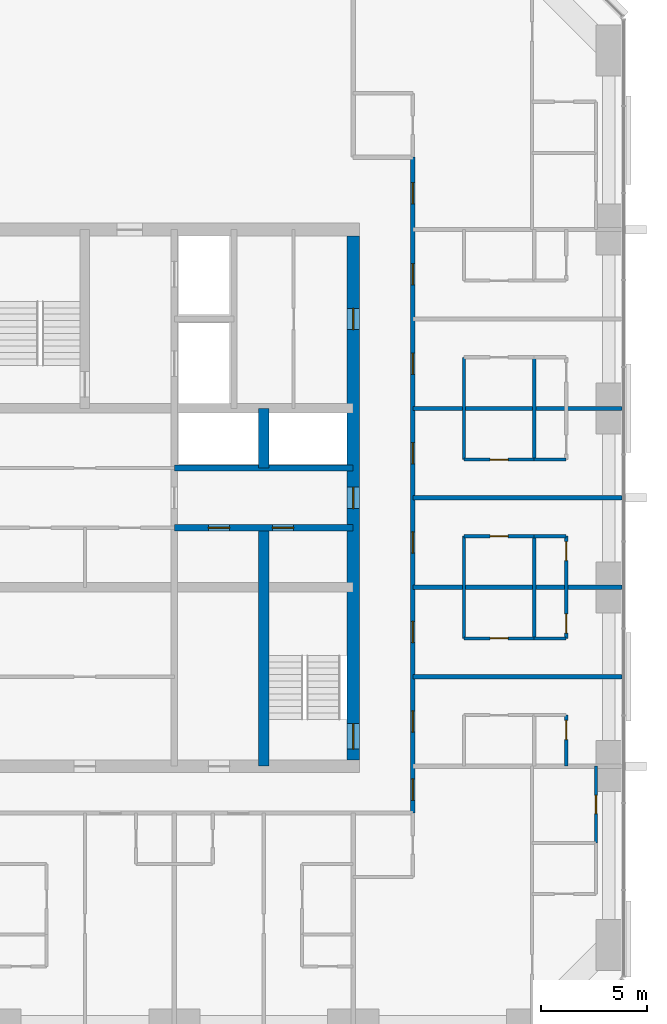
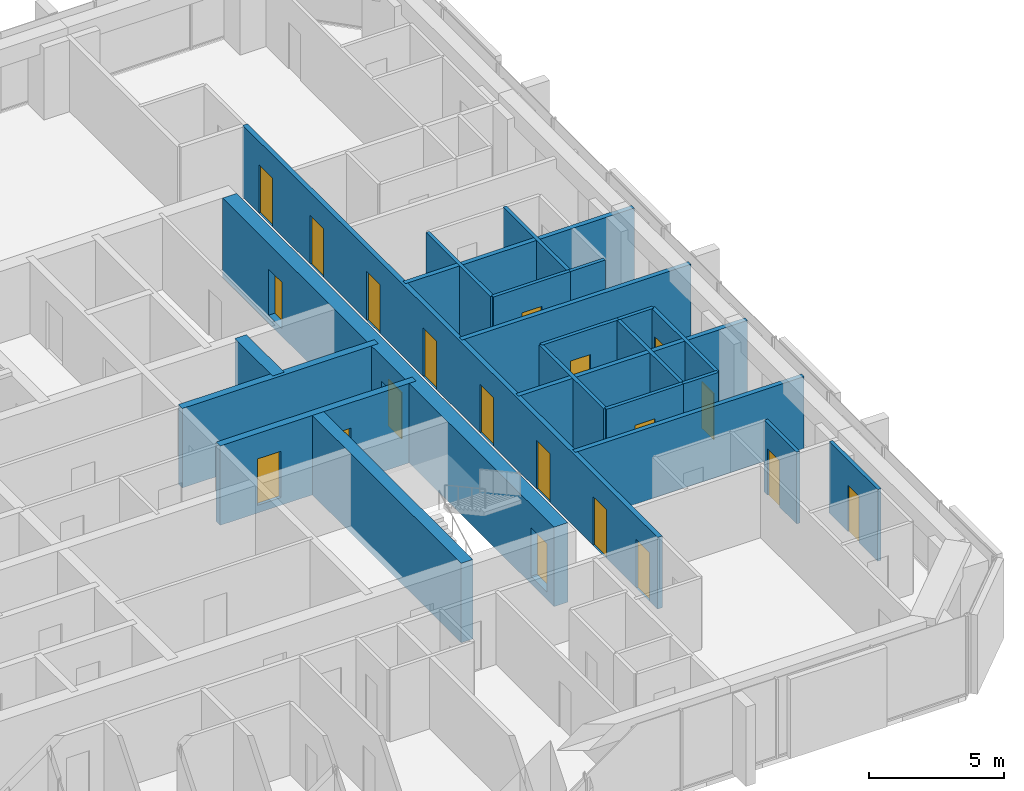
# One storey, part 11 of 14: 23 walls, 20 doors, 20 openings.
"""IFC4 building model written with IfcOpenShell, lengths in metres."""

from ifc_helpers import new_model, si_unit, direction, frame, frame_2d, origin, place, context, subcontext, project, spatial, rectangle, extrude, material, layer, layer_set, type_object, element, fill, save


model = new_model("IFC4")

# Units and contexts
model_context = context("Model", 3, precision=1e-05, world=origin(), true_north=direction((0.0, 1.0)))
body_context = subcontext(model_context, "Body", "Model", "MODEL_VIEW")
ifc_project = project(units=[si_unit("LENGTHUNIT", "METRE"), si_unit("AREAUNIT", "SQUARE_METRE"), si_unit("VOLUMEUNIT", "CUBIC_METRE"), si_unit("PLANEANGLEUNIT", "RADIAN"), si_unit("MASSUNIT", "GRAM", prefix="KILO")], contexts=[model_context])

# Site, building, storey
site_placement = place(None, origin())
site = spatial("IfcSite", under=ifc_project, at=site_placement, CompositionType="ELEMENT")
building_placement = place(site_placement, origin())
building = spatial("IfcBuilding", under=site, at=building_placement, Name="Dunama Terrace Hotel", CompositionType="ELEMENT")
storey_placement = place(building_placement, frame((0.0, 0.0, 184.199951171875)))
storey = spatial("IfcBuildingStorey", under=building, at=storey_placement, Name="L47", CompositionType="ELEMENT", Elevation=184.199951171875)

# Walls
ifc_material_1 = material(Name="Gypsum board partition", Category="masonry")
ifc_layer_1 = layer(ifc_material_1, 0.14990234375)
ifc_layer_set_1 = layer_set([ifc_layer_1], Name="Bathroom partition 150")
wall_type_1 = type_object("IfcWallType", Name="Bathroom partition 150", PredefinedType="PARTITIONING", material=ifc_layer_set_1)
for number, where, z_axis, x_axis, name in (
    (1, (47.199951171875, 22.800048828125, 0.0), (0.0, 0.0, 1.0), (0.0, 1.0, 0.0), "Bathroom partition 150 L47"),
    (2, (47.199951171875, 31.199951171875, 0.0), (0.0, 0.0, 1.0), (0.0, 1.0, 0.0), "Bathroom partition 150 L47"),
):
    element("IfcWall", number, at=place(storey_placement, frame(where, z_axis=z_axis, x_axis=x_axis)), inside=storey, type_object=wall_type_1, Name=name, PredefinedType="PARTITIONING", context=body_context, shape_type="SweptSolid", body=[
        extrude(rectangle(XDim=4.800048828125, YDim=0.14990234375, at=frame_2d((2.39990234375, 0.0))), origin(), (0.0, 0.0, 1.0), 3.25),
    ])

# Wall, opening, door
wall_1_placement = place(storey_placement, frame((53.39990234375, 13.199951171875, 0.0), z_axis=(0.0, 0.0, 1.0), x_axis=(0.0, 1.0, 0.0)))
wall_1 = element("IfcWall", 3, at=wall_1_placement, inside=storey, type_object=wall_type_1, Name="Bathroom partition 150 L47", PredefinedType="PARTITIONING", context=body_context, shape_type="SweptSolid", body=[
    extrude(rectangle(XDim=3.60009765625, YDim=0.14990234375, at=frame_2d((1.800048828125, 0.0))), origin(), (0.0, 0.0, 1.0), 3.25),
])
opening_1_placement = place(wall_1_placement, frame((1.375, 0.0, 0.0)))
opening_1 = element("IfcOpeningElement", 4, at=opening_1_placement, cuts=wall_1, Name="Opening L46-47-060", PredefinedType="OPENING", context=body_context, shape_type="SweptSolid", body=[
    extrude(rectangle(XDim=0.85009765625, YDim=2.10009765625, at=frame_2d((0.425048828125, 1.050048828125))), frame((0.0, 0.0849609375, 0.0), z_axis=(0.0, -1.0, 0.0), x_axis=(1.0, 0.0, 0.0)), (0.0, 0.0, 1.0), 0.169921875),
])
ifc_material_2 = material(Name="Timber door with steel frame", Category="steel")
door_type_1 = type_object("IfcDoorType", Name="Bathroom door 850", OperationType="SINGLE_SWING_LEFT", PredefinedType="DOOR", material=ifc_material_2)
door_1_placement = place(opening_1_placement, origin())
door_1 = element("IfcDoor", 5, at=door_1_placement, inside=storey, type_object=door_type_1, Name="Door to en-suite bathroom L46-47-060, type D2", OperationType="SINGLE_SWING_RIGHT", OverallHeight=2.10009765625, OverallWidth=0.85009765625, PredefinedType="DOOR", context=body_context, shape_type="SweptSolid", body=[
    extrude(rectangle(XDim=0.85009765625, YDim=2.10009765625, at=frame_2d((0.425048828125, 1.050048828125))), frame((0.0, 0.02490234375, 0.0), z_axis=(0.0, -1.0, 0.0), x_axis=(1.0, 0.0, 0.0)), (0.0, 0.0, 1.0), 0.050048828125),
])
fill(opening_1, door_1)

wall_2_placement = place(storey_placement, frame((47.199951171875, 22.800048828125, 0.0), z_axis=(0.0, 0.0, 1.0), x_axis=(1.0, 0.0, 0.0)))
wall_2 = element("IfcWall", 6, at=wall_2_placement, inside=storey, type_object=wall_type_1, Name="Bathroom partition 150 L47", PredefinedType="PARTITIONING", context=body_context, shape_type="SweptSolid", body=[
    extrude(rectangle(XDim=3.300048828125, YDim=0.14990234375, at=frame_2d((1.64990234375, 0.0))), origin(), (0.0, 0.0, 1.0), 3.25),
])
opening_2_placement = place(wall_2_placement, frame((1.22509765625, 0.0, 0.0)))
opening_2 = element("IfcOpeningElement", 7, at=opening_2_placement, cuts=wall_2, Name="Opening L46-47-028", PredefinedType="OPENING", context=body_context, shape_type="SweptSolid", body=[
    extrude(rectangle(XDim=0.85009765625, YDim=2.10009765625, at=frame_2d((0.425048828125, 1.050048828125))), frame((0.0, 0.0849609375, 0.0), z_axis=(0.0, -1.0, 0.0), x_axis=(1.0, 0.0, 0.0)), (0.0, 0.0, 1.0), 0.169921875),
])
door_2_placement = place(opening_2_placement, origin())
door_2 = element("IfcDoor", 8, at=door_2_placement, inside=storey, type_object=door_type_1, Name="Door to en-suite bathroom L46-47-028, type D2", OperationType="SINGLE_SWING_RIGHT", OverallHeight=2.10009765625, OverallWidth=0.85009765625, PredefinedType="DOOR", context=body_context, shape_type="SweptSolid", body=[
    extrude(rectangle(XDim=0.85009765625, YDim=2.10009765625, at=frame_2d((0.425048828125, 1.050048828125))), frame((0.0, 0.02490234375, 0.0), z_axis=(0.0, -1.0, 0.0), x_axis=(1.0, 0.0, 0.0)), (0.0, 0.0, 1.0), 0.050048828125),
])
fill(opening_2, door_2)

wall_3_placement = place(storey_placement, frame((47.199951171875, 27.60009765625, 0.0), z_axis=(0.0, 0.0, 1.0), x_axis=(1.0, 0.0, 0.0)))
wall_3 = element("IfcWall", 9, at=wall_3_placement, inside=storey, type_object=wall_type_1, Name="Bathroom partition 150 L47", PredefinedType="PARTITIONING", context=body_context, shape_type="SweptSolid", body=[
    extrude(rectangle(XDim=3.300048828125, YDim=0.14990234375, at=frame_2d((1.64990234375, 0.0))), origin(), (0.0, 0.0, 1.0), 3.25),
])
opening_3_placement = place(wall_3_placement, frame((1.22509765625, 0.0, 0.0)))
opening_3 = element("IfcOpeningElement", 10, at=opening_3_placement, cuts=wall_3, Name="Opening L46-47-031", PredefinedType="OPENING", context=body_context, shape_type="SweptSolid", body=[
    extrude(rectangle(XDim=0.85009765625, YDim=2.10009765625, at=frame_2d((0.425048828125, 1.050048828125))), frame((0.0, 0.0849609375, 0.0), z_axis=(0.0, -1.0, 0.0), x_axis=(1.0, 0.0, 0.0)), (0.0, 0.0, 1.0), 0.169921875),
])
door_3_placement = place(opening_3_placement, frame((0.85009765625, 0.0, 0.0), z_axis=(0.0, 0.0, 1.0), x_axis=(-1.0, 0.0, 0.0)))
door_3 = element("IfcDoor", 11, at=door_3_placement, inside=storey, type_object=door_type_1, Name="Door to en-suite bathroom L46-47-031, type D2", OperationType="SINGLE_SWING_LEFT", OverallHeight=2.10009765625, OverallWidth=0.85009765625, PredefinedType="DOOR", context=body_context, shape_type="SweptSolid", body=[
    extrude(rectangle(XDim=0.85009765625, YDim=2.10009765625, at=frame_2d((0.425048828125, 1.050048828125))), frame((0.0, 0.025146484375, 0.0), z_axis=(0.0, -1.0, 0.0), x_axis=(1.0, 0.0, 0.0)), (0.0, 0.0, 1.0), 0.050048828125),
])
fill(opening_3, door_3)

wall_4_placement = place(storey_placement, frame((47.199951171875, 31.199951171875, 0.0), z_axis=(0.0, 0.0, 1.0), x_axis=(1.0, 0.0, 0.0)))
wall_4 = element("IfcWall", 12, at=wall_4_placement, inside=storey, type_object=wall_type_1, Name="Bathroom partition 150 L47", PredefinedType="PARTITIONING", context=body_context, shape_type="SweptSolid", body=[
    extrude(rectangle(XDim=3.300048828125, YDim=0.14990234375, at=frame_2d((1.64990234375, 0.0))), origin(), (0.0, 0.0, 1.0), 3.25),
])
opening_4_placement = place(wall_4_placement, frame((1.22509765625, 0.0, 0.0)))
opening_4 = element("IfcOpeningElement", 13, at=opening_4_placement, cuts=wall_4, Name="Opening L46-47-034", PredefinedType="OPENING", context=body_context, shape_type="SweptSolid", body=[
    extrude(rectangle(XDim=0.85009765625, YDim=2.10009765625, at=frame_2d((0.425048828125, 1.050048828125))), frame((0.0, 0.0849609375, 0.0), z_axis=(0.0, -1.0, 0.0), x_axis=(1.0, 0.0, 0.0)), (0.0, 0.0, 1.0), 0.169921875),
])
door_4_placement = place(opening_4_placement, origin())
door_4 = element("IfcDoor", 14, at=door_4_placement, inside=storey, type_object=door_type_1, Name="Door to en-suite bathroom L46-47-034, type D2", OperationType="SINGLE_SWING_RIGHT", OverallHeight=2.10009765625, OverallWidth=0.85009765625, PredefinedType="DOOR", context=body_context, shape_type="SweptSolid", body=[
    extrude(rectangle(XDim=0.85009765625, YDim=2.10009765625, at=frame_2d((0.425048828125, 1.050048828125))), frame((0.0, 0.02490234375, 0.0), z_axis=(0.0, -1.0, 0.0), x_axis=(1.0, 0.0, 0.0)), (0.0, 0.0, 1.0), 0.050048828125),
])
fill(opening_4, door_4)

# Wall, openings, doors
ifc_material_3 = material(Name="Concrete C50/60", Category="concrete")
ifc_layer_2 = layer(ifc_material_3, 0.300048828125)
ifc_layer_set_2 = layer_set([ifc_layer_2], Name="Core inner wall 300")
wall_type_2 = type_object("IfcWallType", Name="Core inner wall 300", PredefinedType="SHEAR", material=ifc_layer_set_2)
wall_5_placement = place(storey_placement, frame((33.60009765625, 28.0, -0.349853515625), z_axis=(0.0, 0.0, 1.0), x_axis=(1.0, 0.0, 0.0)))
wall_5 = element("IfcWall", 15, at=wall_5_placement, inside=storey, type_object=wall_type_2, Name="Core inner wall 300 L47", PredefinedType="SHEAR", context=body_context, shape_type="SweptSolid", body=[
    extrude(rectangle(XDim=8.39990234375, YDim=0.300048828125, at=frame_2d((4.199951171875, 0.0))), origin(), (0.0, 0.0, 1.0), 3.599853515625),
])
opening_5_placement = place(wall_5_placement, frame((1.60009765625, 0.0, 0.35009765625)))
opening_5 = element("IfcOpeningElement", 16, at=opening_5_placement, cuts=wall_5, Name="Opening L46-47-084", PredefinedType="OPENING", context=body_context, shape_type="SweptSolid", body=[
    extrude(rectangle(XDim=1.0, YDim=2.10009765625, at=frame_2d((0.5, 1.050048828125))), frame((0.0, 0.159912109375, 0.0), z_axis=(0.0, -1.0, 0.0), x_axis=(1.0, 0.0, 0.0)), (0.0, 0.0, 1.0), 0.320068359375),
])
opening_6_placement = place(wall_5_placement, frame((4.60009765625, 0.0, 0.35009765625)))
opening_6 = element("IfcOpeningElement", 17, at=opening_6_placement, cuts=wall_5, Name="Opening L46-47-085", PredefinedType="OPENING", context=body_context, shape_type="SweptSolid", body=[
    extrude(rectangle(XDim=1.0, YDim=2.10009765625, at=frame_2d((0.5, 1.050048828125))), frame((0.0, 0.159912109375, 0.0), z_axis=(0.0, -1.0, 0.0), x_axis=(1.0, 0.0, 0.0)), (0.0, 0.0, 1.0), 0.320068359375),
])
ifc_material_4 = material(Name="Timber door with steel frame", Category="steel")
door_type_2 = type_object("IfcDoorType", Name="Service door 1000", OperationType="SINGLE_SWING_LEFT", PredefinedType="DOOR", material=ifc_material_4)
door_5_placement = place(opening_5_placement, frame((1.0, 0.0, 0.0), z_axis=(0.0, 0.0, 1.0), x_axis=(-1.0, 0.0, 0.0)))
door_5 = element("IfcDoor", 18, at=door_5_placement, inside=storey, type_object=door_type_2, Name="Door to service riser L46-47-084, type D7", OperationType="SINGLE_SWING_LEFT", OverallHeight=2.10009765625, OverallWidth=1.0, PredefinedType="DOOR", context=body_context, shape_type="SweptSolid", body=[
    extrude(rectangle(XDim=1.0, YDim=2.10009765625, at=frame_2d((0.5, 1.050048828125))), frame((0.0, 0.025146484375, 0.0), z_axis=(0.0, -1.0, 0.0), x_axis=(1.0, 0.0, 0.0)), (0.0, 0.0, 1.0), 0.050048828125),
])
fill(opening_5, door_5)
door_6_placement = place(opening_6_placement, frame((1.0, 0.0, 0.0), z_axis=(0.0, 0.0, 1.0), x_axis=(-1.0, 0.0, 0.0)))
door_6 = element("IfcDoor", 19, at=door_6_placement, inside=storey, type_object=door_type_2, Name="Door to cleaners store L46-47-085, type D7", OperationType="SINGLE_SWING_RIGHT", OverallHeight=2.10009765625, OverallWidth=1.0, PredefinedType="DOOR", context=body_context, shape_type="SweptSolid", body=[
    extrude(rectangle(XDim=1.0, YDim=2.10009765625, at=frame_2d((0.5, 1.050048828125))), frame((0.0, 0.025146484375, 0.0), z_axis=(0.0, -1.0, 0.0), x_axis=(1.0, 0.0, 0.0)), (0.0, 0.0, 1.0), 0.050048828125),
])
fill(opening_6, door_6)

# Walls
wall_6_placement = place(storey_placement, frame((33.60009765625, 30.800048828125, -0.349853515625), z_axis=(0.0, 0.0, 1.0), x_axis=(1.0, 0.0, 0.0)))
element("IfcWall", 20, at=wall_6_placement, inside=storey, type_object=wall_type_2, Name="Core inner wall 300 L47", PredefinedType="SHEAR", context=body_context, shape_type="SweptSolid", body=[
    extrude(rectangle(XDim=8.39990234375, YDim=0.300048828125, at=frame_2d((4.199951171875, 0.0))), origin(), (0.0, 0.0, 1.0), 3.599853515625),
])
ifc_material_5 = material(Name="Concrete C50/60", Category="concrete")
ifc_layer_3 = layer(ifc_material_5, 0.5)
ifc_layer_set_3 = layer_set([ifc_layer_3], Name="Core inner wall 500")
wall_type_3 = type_object("IfcWallType", Name="Core inner wall 500", PredefinedType="SHEAR", material=ifc_layer_set_3)
wall_7_placement = place(storey_placement, frame((37.800048828125, 16.800048828125, -0.349853515625), z_axis=(0.0, 0.0, 1.0), x_axis=(0.0, 1.0, 0.0)))
element("IfcWall", 21, at=wall_7_placement, inside=storey, type_object=wall_type_3, Name="Core inner wall 500 L47", PredefinedType="SHEAR", context=body_context, shape_type="SweptSolid", body=[
    extrude(rectangle(XDim=11.199951171875, YDim=0.5, at=frame_2d((5.60009765625, 0.0))), origin(), (0.0, 0.0, 1.0), 3.599853515625),
])
wall_8_placement = place(storey_placement, frame((37.800048828125, 30.800048828125, -0.349853515625), z_axis=(0.0, 0.0, 1.0), x_axis=(0.0, 1.0, 0.0)))
element("IfcWall", 22, at=wall_8_placement, inside=storey, type_object=wall_type_3, Name="Core inner wall 500 L47", PredefinedType="SHEAR", context=body_context, shape_type="SweptSolid", body=[
    extrude(rectangle(XDim=2.800048828125, YDim=0.5, at=frame_2d((1.39990234375, 0.0))), origin(), (0.0, 0.0, 1.0), 3.599853515625),
])

# Wall, openings, doors
ifc_material_6 = material(Name="Concrete C50/60", Category="concrete")
ifc_layer_4 = layer(ifc_material_6, 0.60009765625)
ifc_layer_set_4 = layer_set([ifc_layer_4], Name="Core wall 600")
wall_type_4 = type_object("IfcWallType", Name="Core wall 600", PredefinedType="SHEAR", material=ifc_layer_set_4)
wall_9_placement = place(storey_placement, frame((42.0, 17.10009765625, -0.349853515625), z_axis=(0.0, 0.0, 1.0), x_axis=(0.0, 1.0, 0.0)))
wall_9 = element("IfcWall", 23, at=wall_9_placement, inside=storey, type_object=wall_type_4, Name="Core wall east L47", PredefinedType="SHEAR", context=body_context, shape_type="SweptSolid", body=[
    extrude(rectangle(XDim=24.599853515625, YDim=0.60009765625, at=frame_2d((12.2998046875, 0.0))), origin(), (0.0, 0.0, 1.0), 3.599853515625),
])
opening_7_placement = place(wall_9_placement, frame((0.5, 0.0, 0.35009765625)))
opening_7 = element("IfcOpeningElement", 24, at=opening_7_placement, cuts=wall_9, Name="Opening L46-47-002", PredefinedType="OPENING", context=body_context, shape_type="SweptSolid", body=[
    extrude(rectangle(XDim=1.199951171875, YDim=2.199951171875, at=frame_2d((0.60009765625, 1.10009765625))), frame((0.0, 0.31005859375, 0.0), z_axis=(0.0, -1.0, 0.0), x_axis=(1.0, 0.0, 0.0)), (0.0, 0.0, 1.0), 0.6201171875),
])
opening_8_placement = place(wall_9_placement, frame((11.800048828125, 0.0, 0.35009765625)))
opening_8 = element("IfcOpeningElement", 25, at=opening_8_placement, cuts=wall_9, Name="Opening L46-47-086", PredefinedType="OPENING", context=body_context, shape_type="SweptSolid", body=[
    extrude(rectangle(XDim=1.0, YDim=2.10009765625, at=frame_2d((0.5, 1.050048828125))), frame((0.0, 0.31005859375, 0.0), z_axis=(0.0, -1.0, 0.0), x_axis=(1.0, 0.0, 0.0)), (0.0, 0.0, 1.0), 0.6201171875),
])
opening_9_placement = place(wall_9_placement, frame((20.199951171875, 0.0, 0.35009765625)))
opening_9 = element("IfcOpeningElement", 26, at=opening_9_placement, cuts=wall_9, Name="Opening L46-47-088", PredefinedType="OPENING", context=body_context, shape_type="SweptSolid", body=[
    extrude(rectangle(XDim=1.0, YDim=2.10009765625, at=frame_2d((0.5, 1.050048828125))), frame((0.0, 0.31005859375, 0.0), z_axis=(0.0, -1.0, 0.0), x_axis=(1.0, 0.0, 0.0)), (0.0, 0.0, 1.0), 0.6201171875),
])
door_7_placement = place(opening_8_placement, origin())
door_7 = element("IfcDoor", 27, at=door_7_placement, inside=storey, type_object=door_type_2, Name="Door to service lobby L46-47-086, type D7", OperationType="SINGLE_SWING_RIGHT", OverallHeight=2.10009765625, OverallWidth=1.0, PredefinedType="DOOR", context=body_context, shape_type="SweptSolid", body=[
    extrude(rectangle(XDim=1.0, YDim=2.10009765625, at=frame_2d((0.5, 1.050048828125))), frame((0.0, 0.02490234375, 0.0), z_axis=(0.0, -1.0, 0.0), x_axis=(1.0, 0.0, 0.0)), (0.0, 0.0, 1.0), 0.050048828125),
])
fill(opening_8, door_7)
door_8_placement = place(opening_9_placement, origin())
door_8 = element("IfcDoor", 28, at=door_8_placement, inside=storey, type_object=door_type_2, Name="Door to guest pantry L46-47-088, type D7", OperationType="SINGLE_SWING_LEFT", OverallHeight=2.10009765625, OverallWidth=1.0, PredefinedType="DOOR", context=body_context, shape_type="SweptSolid", body=[
    extrude(rectangle(XDim=1.0, YDim=2.10009765625, at=frame_2d((0.5, 1.050048828125))), frame((0.0, 0.02490234375, 0.0), z_axis=(0.0, -1.0, 0.0), x_axis=(1.0, 0.0, 0.0)), (0.0, 0.0, 1.0), 0.050048828125),
])
fill(opening_9, door_8)
ifc_material_7 = material(Name="Timber door with steel frame", Category="steel")
door_type_3 = type_object("IfcDoorType", Name="Stair door 1200", OperationType="SINGLE_SWING_LEFT", PredefinedType="DOOR", material=ifc_material_7)
door_9_placement = place(opening_7_placement, origin())
door_9 = element("IfcDoor", 29, at=door_9_placement, inside=storey, type_object=door_type_3, Name="Stair door ST2 L46-47-002, type D5", OperationType="SINGLE_SWING_LEFT", OverallHeight=2.199951171875, OverallWidth=1.199951171875, PredefinedType="DOOR", context=body_context, shape_type="SweptSolid", body=[
    extrude(rectangle(XDim=1.199951171875, YDim=2.199951171875, at=frame_2d((0.60009765625, 1.10009765625))), frame((0.0, 0.02490234375, 0.0), z_axis=(0.0, -1.0, 0.0), x_axis=(1.0, 0.0, 0.0)), (0.0, 0.0, 1.0), 0.050048828125),
])
fill(opening_7, door_9)

ifc_material_8 = material(Name="Concrete blockwork", Category="masonry")
ifc_layer_5 = layer(ifc_material_8, 0.199951171875)
ifc_layer_set_5 = layer_set([ifc_layer_5], Name="Corridor partition 200")
wall_type_5 = type_object("IfcWallType", Name="Corridor partition 200", PredefinedType="PARTITIONING", material=ifc_layer_set_5)
wall_10_placement = place(storey_placement, frame((44.800048828125, 45.39990234375, 0.0), z_axis=(0.0, 0.0, 1.0), x_axis=(0.0, -1.0, 0.0)))
wall_10 = element("IfcWall", 30, at=wall_10_placement, inside=storey, type_object=wall_type_5, Name="Corridor partition 200 L47", PredefinedType="PARTITIONING", context=body_context, shape_type="SweptSolid", body=[
    extrude(rectangle(XDim=30.7998046875, YDim=0.199951171875, at=frame_2d((15.39990234375, 0.0))), origin(), (0.0, 0.0, 1.0), 3.25),
])
opening_10_placement = place(wall_10_placement, frame((26.0, 0.0, 0.0)))
opening_10 = element("IfcOpeningElement", 31, at=opening_10_placement, cuts=wall_10, Name="Opening L46-47-024", PredefinedType="OPENING", context=body_context, shape_type="SweptSolid", body=[
    extrude(rectangle(XDim=1.0, YDim=2.199951171875, at=frame_2d((0.5, 1.10009765625))), frame((0.0, 0.10986328125, 0.0), z_axis=(0.0, -1.0, 0.0), x_axis=(1.0, 0.0, 0.0)), (0.0, 0.0, 1.0), 0.219970703125),
])
opening_11_placement = place(wall_10_placement, frame((21.800048828125, 0.0, 0.0)))
opening_11 = element("IfcOpeningElement", 32, at=opening_11_placement, cuts=wall_10, Name="Opening L46-47-027", PredefinedType="OPENING", context=body_context, shape_type="SweptSolid", body=[
    extrude(rectangle(XDim=1.0, YDim=2.199951171875, at=frame_2d((0.5, 1.10009765625))), frame((0.0, 0.10986328125, 0.0), z_axis=(0.0, -1.0, 0.0), x_axis=(1.0, 0.0, 0.0)), (0.0, 0.0, 1.0), 0.219970703125),
])
opening_12_placement = place(wall_10_placement, frame((17.60009765625, 0.0, 0.0)))
opening_12 = element("IfcOpeningElement", 33, at=opening_12_placement, cuts=wall_10, Name="Opening L46-47-030", PredefinedType="OPENING", context=body_context, shape_type="SweptSolid", body=[
    extrude(rectangle(XDim=1.0, YDim=2.199951171875, at=frame_2d((0.5, 1.10009765625))), frame((0.0, 0.10986328125, 0.0), z_axis=(0.0, -1.0, 0.0), x_axis=(1.0, 0.0, 0.0)), (0.0, 0.0, 1.0), 0.219970703125),
])
opening_13_placement = place(wall_10_placement, frame((13.39990234375, 0.0, 0.0)))
opening_13 = element("IfcOpeningElement", 34, at=opening_13_placement, cuts=wall_10, Name="Opening L46-47-033", PredefinedType="OPENING", context=body_context, shape_type="SweptSolid", body=[
    extrude(rectangle(XDim=1.0, YDim=2.199951171875, at=frame_2d((0.5, 1.10009765625))), frame((0.0, 0.10986328125, 0.0), z_axis=(0.0, -1.0, 0.0), x_axis=(1.0, 0.0, 0.0)), (0.0, 0.0, 1.0), 0.219970703125),
])
opening_14_placement = place(wall_10_placement, frame((9.199951171875, 0.0, 0.0)))
opening_14 = element("IfcOpeningElement", 35, at=opening_14_placement, cuts=wall_10, Name="Opening L46-47-036", PredefinedType="OPENING", context=body_context, shape_type="SweptSolid", body=[
    extrude(rectangle(XDim=1.0, YDim=2.199951171875, at=frame_2d((0.5, 1.10009765625))), frame((0.0, 0.10986328125, 0.0), z_axis=(0.0, -1.0, 0.0), x_axis=(1.0, 0.0, 0.0)), (0.0, 0.0, 1.0), 0.219970703125),
])
opening_15_placement = place(wall_10_placement, frame((5.0, 0.0, 0.0)))
opening_15 = element("IfcOpeningElement", 36, at=opening_15_placement, cuts=wall_10, Name="Opening L46-47-039", PredefinedType="OPENING", context=body_context, shape_type="SweptSolid", body=[
    extrude(rectangle(XDim=1.0, YDim=2.199951171875, at=frame_2d((0.5, 1.10009765625))), frame((0.0, 0.10986328125, 0.0), z_axis=(0.0, -1.0, 0.0), x_axis=(1.0, 0.0, 0.0)), (0.0, 0.0, 1.0), 0.219970703125),
])
opening_16_placement = place(wall_10_placement, frame((29.199951171875, 0.0, 0.0)))
opening_16 = element("IfcOpeningElement", 37, at=opening_16_placement, cuts=wall_10, Name="Opening L46-47-057", PredefinedType="OPENING", context=body_context, shape_type="SweptSolid", body=[
    extrude(rectangle(XDim=1.0, YDim=2.199951171875, at=frame_2d((0.5, 1.10009765625))), frame((0.0, 0.10986328125, 0.0), z_axis=(0.0, -1.0, 0.0), x_axis=(1.0, 0.0, 0.0)), (0.0, 0.0, 1.0), 0.219970703125),
])
opening_17_placement = place(wall_10_placement, frame((1.199951171875, 0.0, 0.0)))
opening_17 = element("IfcOpeningElement", 38, at=opening_17_placement, cuts=wall_10, Name="Opening L46-47-062", PredefinedType="OPENING", context=body_context, shape_type="SweptSolid", body=[
    extrude(rectangle(XDim=1.0, YDim=2.199951171875, at=frame_2d((0.5, 1.10009765625))), frame((0.0, 0.10986328125, 0.0), z_axis=(0.0, -1.0, 0.0), x_axis=(1.0, 0.0, 0.0)), (0.0, 0.0, 1.0), 0.219970703125),
])
ifc_material_9 = material(Name="Timber door with steel frame", Category="steel")
door_type_4 = type_object("IfcDoorType", Name="Guest room door 1000", OperationType="SINGLE_SWING_LEFT", PredefinedType="DOOR", material=ifc_material_9)
door_10_placement = place(opening_10_placement, origin())
door_10 = element("IfcDoor", 39, at=door_10_placement, inside=storey, type_object=door_type_4, Name="Door to club room L46-47-024, type D1", OperationType="SINGLE_SWING_RIGHT", OverallHeight=2.199951171875, OverallWidth=1.0, PredefinedType="DOOR", context=body_context, shape_type="SweptSolid", body=[
    extrude(rectangle(XDim=1.0, YDim=2.199951171875, at=frame_2d((0.5, 1.10009765625))), frame((0.0, 0.02490234375, 0.0), z_axis=(0.0, -1.0, 0.0), x_axis=(1.0, 0.0, 0.0)), (0.0, 0.0, 1.0), 0.050048828125),
])
fill(opening_10, door_10)
door_11_placement = place(opening_11_placement, origin())
door_11 = element("IfcDoor", 40, at=door_11_placement, inside=storey, type_object=door_type_4, Name="Door to club room L46-47-027, type D1", OperationType="SINGLE_SWING_LEFT", OverallHeight=2.199951171875, OverallWidth=1.0, PredefinedType="DOOR", context=body_context, shape_type="SweptSolid", body=[
    extrude(rectangle(XDim=1.0, YDim=2.199951171875, at=frame_2d((0.5, 1.10009765625))), frame((0.0, 0.02490234375, 0.0), z_axis=(0.0, -1.0, 0.0), x_axis=(1.0, 0.0, 0.0)), (0.0, 0.0, 1.0), 0.050048828125),
])
fill(opening_11, door_11)
door_12_placement = place(opening_12_placement, origin())
door_12 = element("IfcDoor", 41, at=door_12_placement, inside=storey, type_object=door_type_4, Name="Door to club room L46-47-030, type D1", OperationType="SINGLE_SWING_RIGHT", OverallHeight=2.199951171875, OverallWidth=1.0, PredefinedType="DOOR", context=body_context, shape_type="SweptSolid", body=[
    extrude(rectangle(XDim=1.0, YDim=2.199951171875, at=frame_2d((0.5, 1.10009765625))), frame((0.0, 0.02490234375, 0.0), z_axis=(0.0, -1.0, 0.0), x_axis=(1.0, 0.0, 0.0)), (0.0, 0.0, 1.0), 0.050048828125),
])
fill(opening_12, door_12)
door_13_placement = place(opening_13_placement, origin())
door_13 = element("IfcDoor", 42, at=door_13_placement, inside=storey, type_object=door_type_4, Name="Door to club room L46-47-033, type D1", OperationType="SINGLE_SWING_LEFT", OverallHeight=2.199951171875, OverallWidth=1.0, PredefinedType="DOOR", context=body_context, shape_type="SweptSolid", body=[
    extrude(rectangle(XDim=1.0, YDim=2.199951171875, at=frame_2d((0.5, 1.10009765625))), frame((0.0, 0.02490234375, 0.0), z_axis=(0.0, -1.0, 0.0), x_axis=(1.0, 0.0, 0.0)), (0.0, 0.0, 1.0), 0.050048828125),
])
fill(opening_13, door_13)
door_14_placement = place(opening_14_placement, origin())
door_14 = element("IfcDoor", 43, at=door_14_placement, inside=storey, type_object=door_type_4, Name="Door to club room L46-47-036, type D1", OperationType="SINGLE_SWING_RIGHT", OverallHeight=2.199951171875, OverallWidth=1.0, PredefinedType="DOOR", context=body_context, shape_type="SweptSolid", body=[
    extrude(rectangle(XDim=1.0, YDim=2.199951171875, at=frame_2d((0.5, 1.10009765625))), frame((0.0, 0.02490234375, 0.0), z_axis=(0.0, -1.0, 0.0), x_axis=(1.0, 0.0, 0.0)), (0.0, 0.0, 1.0), 0.050048828125),
])
fill(opening_14, door_14)
door_15_placement = place(opening_15_placement, origin())
door_15 = element("IfcDoor", 44, at=door_15_placement, inside=storey, type_object=door_type_4, Name="Door to club room L46-47-039, type D1", OperationType="SINGLE_SWING_LEFT", OverallHeight=2.199951171875, OverallWidth=1.0, PredefinedType="DOOR", context=body_context, shape_type="SweptSolid", body=[
    extrude(rectangle(XDim=1.0, YDim=2.199951171875, at=frame_2d((0.5, 1.10009765625))), frame((0.0, 0.02490234375, 0.0), z_axis=(0.0, -1.0, 0.0), x_axis=(1.0, 0.0, 0.0)), (0.0, 0.0, 1.0), 0.050048828125),
])
fill(opening_15, door_15)
door_16_placement = place(opening_16_placement, origin())
door_16 = element("IfcDoor", 45, at=door_16_placement, inside=storey, type_object=door_type_4, Name="Door to corner suite living room L46-47-057, type D1", OperationType="SINGLE_SWING_LEFT", OverallHeight=2.199951171875, OverallWidth=1.0, PredefinedType="DOOR", context=body_context, shape_type="SweptSolid", body=[
    extrude(rectangle(XDim=1.0, YDim=2.199951171875, at=frame_2d((0.5, 1.10009765625))), frame((0.0, 0.02490234375, 0.0), z_axis=(0.0, -1.0, 0.0), x_axis=(1.0, 0.0, 0.0)), (0.0, 0.0, 1.0), 0.050048828125),
])
fill(opening_16, door_16)
door_17_placement = place(opening_17_placement, origin())
door_17 = element("IfcDoor", 46, at=door_17_placement, inside=storey, type_object=door_type_4, Name="Door to corner suite living room L46-47-062, type D1", OperationType="SINGLE_SWING_RIGHT", OverallHeight=2.199951171875, OverallWidth=1.0, PredefinedType="DOOR", context=body_context, shape_type="SweptSolid", body=[
    extrude(rectangle(XDim=1.0, YDim=2.199951171875, at=frame_2d((0.5, 1.10009765625))), frame((0.0, 0.02490234375, 0.0), z_axis=(0.0, -1.0, 0.0), x_axis=(1.0, 0.0, 0.0)), (0.0, 0.0, 1.0), 0.050048828125),
])
fill(opening_17, door_17)

# Walls
ifc_material_10 = material(Name="Concrete blockwork", Category="masonry")
ifc_layer_6 = layer(ifc_material_10, 0.199951171875)
ifc_layer_set_6 = layer_set([ifc_layer_6], Name="Party wall 200")
wall_type_6 = type_object("IfcWallType", Name="Party wall 200", PredefinedType="PARTITIONING", material=ifc_layer_set_6)
for number, where, z_axis, x_axis, name in (
    (47, (44.800048828125, 21.0, 0.0), (0.0, 0.0, 1.0), (1.0, 0.0, 0.0), "Party wall 200 L47"),
    (48, (44.800048828125, 25.199951171875, 0.0), (0.0, 0.0, 1.0), (1.0, 0.0, 0.0), "Party wall 200 L47"),
    (49, (44.800048828125, 29.39990234375, 0.0), (0.0, 0.0, 1.0), (1.0, 0.0, 0.0), "Party wall 200 L47"),
    (50, (44.800048828125, 33.60009765625, 0.0), (0.0, 0.0, 1.0), (1.0, 0.0, 0.0), "Party wall 200 L47"),
):
    element("IfcWall", number, at=place(storey_placement, frame(where, z_axis=z_axis, x_axis=x_axis)), inside=storey, type_object=wall_type_6, Name=name, PredefinedType="PARTITIONING", context=body_context, shape_type="SweptSolid", body=[
        extrude(rectangle(XDim=9.81787109375, YDim=0.199951171875, at=frame_2d((4.908935546875, 0.0))), origin(), (0.0, 0.0, 1.0), 3.25),
    ])
ifc_material_11 = material(Name="Gypsum board partition", Category="masonry")
ifc_layer_7 = layer(ifc_material_11, 0.14990234375)
ifc_layer_set_7 = layer_set([ifc_layer_7], Name="Room partition 150")
wall_type_7 = type_object("IfcWallType", Name="Room partition 150", PredefinedType="PARTITIONING", material=ifc_layer_set_7)
for number, where, z_axis, x_axis, name in (
    (51, (50.5, 22.800048828125, 0.0), (0.0, 0.0, 1.0), (0.0, 1.0, 0.0), "Room partition 150 L47"),
    (52, (50.5, 31.199951171875, 0.0), (0.0, 0.0, 1.0), (0.0, 1.0, 0.0), "Room partition 150 L47"),
):
    element("IfcWall", number, at=place(storey_placement, frame(where, z_axis=z_axis, x_axis=x_axis)), inside=storey, type_object=wall_type_7, Name=name, PredefinedType="PARTITIONING", context=body_context, shape_type="SweptSolid", body=[
        extrude(rectangle(XDim=4.800048828125, YDim=0.14990234375, at=frame_2d((2.39990234375, 0.0))), origin(), (0.0, 0.0, 1.0), 3.25),
    ])

# Wall, opening, door
wall_11_placement = place(storey_placement, frame((52.0, 16.800048828125, 0.0), z_axis=(0.0, 0.0, 1.0), x_axis=(0.0, 1.0, 0.0)))
wall_11 = element("IfcWall", 53, at=wall_11_placement, inside=storey, type_object=wall_type_7, Name="Room partition 150 L47", PredefinedType="PARTITIONING", context=body_context, shape_type="SweptSolid", body=[
    extrude(rectangle(XDim=2.39990234375, YDim=0.14990234375, at=frame_2d((1.199951171875, 0.0))), origin(), (0.0, 0.0, 1.0), 3.25),
])
opening_18_placement = place(wall_11_placement, frame((1.25, 0.0, 0.0)))
opening_18 = element("IfcOpeningElement", 54, at=opening_18_placement, cuts=wall_11, Name="Opening L46-47-026", PredefinedType="OPENING", context=body_context, shape_type="SweptSolid", body=[
    extrude(rectangle(XDim=0.89990234375, YDim=2.10009765625, at=frame_2d((0.449951171875, 1.050048828125))), frame((0.0, 0.0849609375, 0.0), z_axis=(0.0, -1.0, 0.0), x_axis=(1.0, 0.0, 0.0)), (0.0, 0.0, 1.0), 0.169921875),
])
ifc_material_12 = material(Name="Timber door with steel frame", Category="steel")
door_type_5 = type_object("IfcDoorType", Name="Suite internal door 900", OperationType="SINGLE_SWING_LEFT", PredefinedType="DOOR", material=ifc_material_12)
door_18_placement = place(opening_18_placement, origin())
door_18 = element("IfcDoor", 55, at=door_18_placement, inside=storey, type_object=door_type_5, Name="Door to walk-in wardrobe L46-47-026, type D16", OperationType="SINGLE_SWING_RIGHT", OverallHeight=2.10009765625, OverallWidth=0.89990234375, PredefinedType="DOOR", context=body_context, shape_type="SweptSolid", body=[
    extrude(rectangle(XDim=0.89990234375, YDim=2.10009765625, at=frame_2d((0.449951171875, 1.050048828125))), frame((0.0, 0.02490234375, 0.0), z_axis=(0.0, -1.0, 0.0), x_axis=(1.0, 0.0, 0.0)), (0.0, 0.0, 1.0), 0.050048828125),
])
fill(opening_18, door_18)

# Wall, openings, doors
wall_12_placement = place(storey_placement, frame((52.0, 22.800048828125, 0.0), z_axis=(0.0, 0.0, 1.0), x_axis=(0.0, 1.0, 0.0)))
wall_12 = element("IfcWall", 56, at=wall_12_placement, inside=storey, type_object=wall_type_7, Name="Room partition 150 L47", PredefinedType="PARTITIONING", context=body_context, shape_type="SweptSolid", body=[
    extrude(rectangle(XDim=4.800048828125, YDim=0.14990234375, at=frame_2d((2.39990234375, 0.0))), origin(), (0.0, 0.0, 1.0), 3.25),
])
opening_19_placement = place(wall_12_placement, frame((0.25, 0.0, 0.0)))
opening_19 = element("IfcOpeningElement", 57, at=opening_19_placement, cuts=wall_12, Name="Opening L46-47-029", PredefinedType="OPENING", context=body_context, shape_type="SweptSolid", body=[
    extrude(rectangle(XDim=0.89990234375, YDim=2.10009765625, at=frame_2d((0.449951171875, 1.050048828125))), frame((0.0, 0.0849609375, 0.0), z_axis=(0.0, -1.0, 0.0), x_axis=(1.0, 0.0, 0.0)), (0.0, 0.0, 1.0), 0.169921875),
])
opening_20_placement = place(wall_12_placement, frame((3.64990234375, 0.0, 0.0)))
opening_20 = element("IfcOpeningElement", 58, at=opening_20_placement, cuts=wall_12, Name="Opening L46-47-032", PredefinedType="OPENING", context=body_context, shape_type="SweptSolid", body=[
    extrude(rectangle(XDim=0.89990234375, YDim=2.10009765625, at=frame_2d((0.449951171875, 1.050048828125))), frame((0.0, 0.0849609375, 0.0), z_axis=(0.0, -1.0, 0.0), x_axis=(1.0, 0.0, 0.0)), (0.0, 0.0, 1.0), 0.169921875),
])
door_19_placement = place(opening_19_placement, origin())
door_19 = element("IfcDoor", 59, at=door_19_placement, inside=storey, type_object=door_type_5, Name="Door to walk-in wardrobe L46-47-029, type D16", OperationType="SINGLE_SWING_LEFT", OverallHeight=2.10009765625, OverallWidth=0.89990234375, PredefinedType="DOOR", context=body_context, shape_type="SweptSolid", body=[
    extrude(rectangle(XDim=0.89990234375, YDim=2.10009765625, at=frame_2d((0.449951171875, 1.050048828125))), frame((0.0, 0.02490234375, 0.0), z_axis=(0.0, -1.0, 0.0), x_axis=(1.0, 0.0, 0.0)), (0.0, 0.0, 1.0), 0.050048828125),
])
fill(opening_19, door_19)
door_20_placement = place(opening_20_placement, origin())
door_20 = element("IfcDoor", 60, at=door_20_placement, inside=storey, type_object=door_type_5, Name="Door to walk-in wardrobe L46-47-032, type D16", OperationType="SINGLE_SWING_RIGHT", OverallHeight=2.10009765625, OverallWidth=0.89990234375, PredefinedType="DOOR", context=body_context, shape_type="SweptSolid", body=[
    extrude(rectangle(XDim=0.89990234375, YDim=2.10009765625, at=frame_2d((0.449951171875, 1.050048828125))), frame((0.0, 0.02490234375, 0.0), z_axis=(0.0, -1.0, 0.0), x_axis=(1.0, 0.0, 0.0)), (0.0, 0.0, 1.0), 0.050048828125),
])
fill(opening_20, door_20)

# Walls
for number, where, z_axis, x_axis, name in (
    (61, (50.5, 22.800048828125, 0.0), (0.0, 0.0, 1.0), (1.0, 0.0, 0.0), "Room partition 150 L47"),
    (62, (50.5, 27.60009765625, 0.0), (0.0, 0.0, 1.0), (1.0, 0.0, 0.0), "Room partition 150 L47"),
    (63, (50.5, 31.199951171875, 0.0), (0.0, 0.0, 1.0), (1.0, 0.0, 0.0), "Room partition 150 L47"),
):
    element("IfcWall", number, at=place(storey_placement, frame(where, z_axis=z_axis, x_axis=x_axis)), inside=storey, type_object=wall_type_7, Name=name, PredefinedType="PARTITIONING", context=body_context, shape_type="SweptSolid", body=[
        extrude(rectangle(XDim=1.5, YDim=0.14990234375, at=frame_2d((0.75, 0.0))), origin(), (0.0, 0.0, 1.0), 3.25),
    ])

save(model, "model.ifc")
